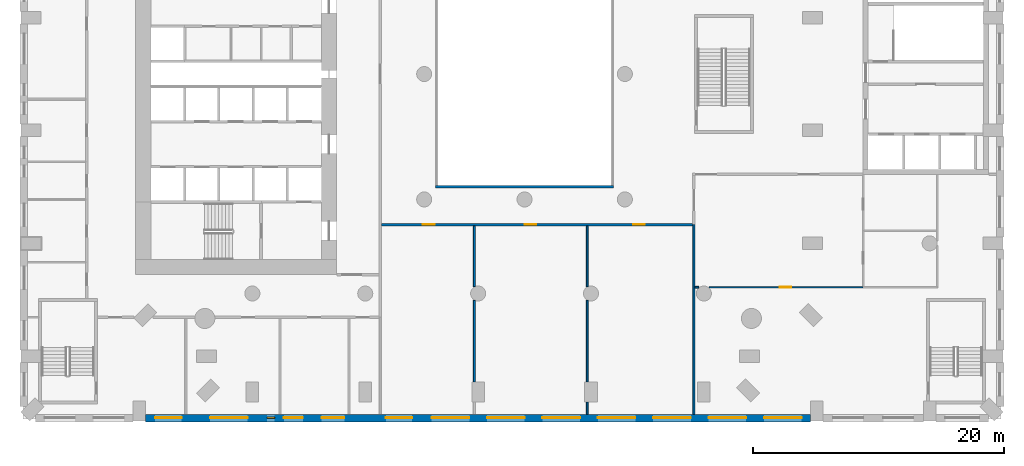
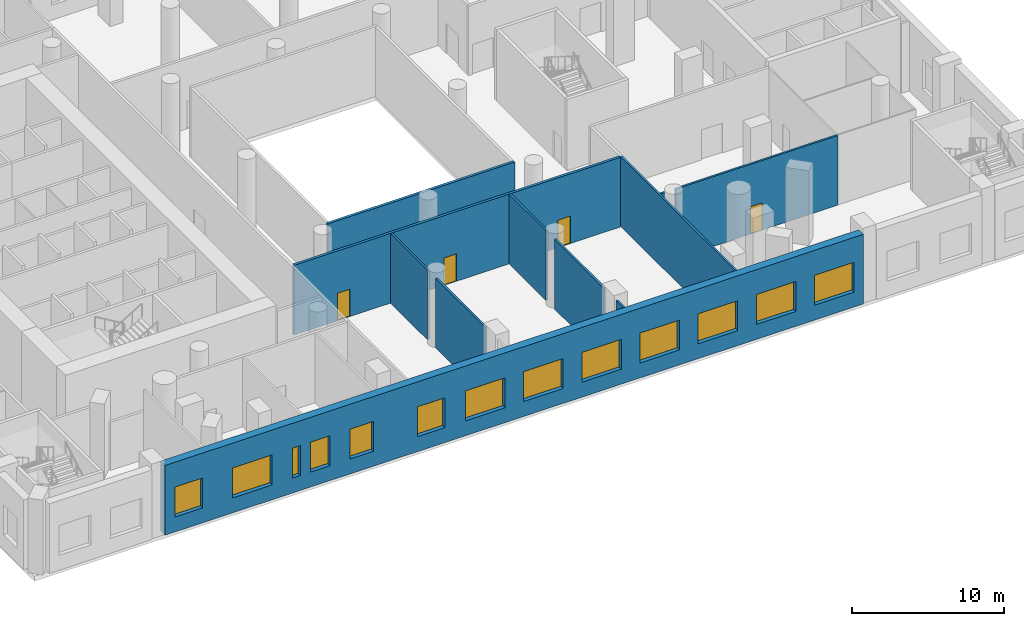
# One storey, part 5 of 19: 13 windows, 11 walls, 4 doors, 17 openings.
"""IFC4 building model written with IfcOpenShell, lengths in metres."""

from ifc_helpers import new_model, si_unit, direction, frame, frame_2d, origin, place, context, subcontext, project, spatial, rectangle, extrude, material, layer, layer_set, type_object, element, fill, save


model = new_model("IFC4")

# Units and contexts
model_context = context("Model", 3, precision=1e-05, world=origin(), true_north=direction((0.0, 1.0)))
body_context = subcontext(model_context, "Body", "Model", "MODEL_VIEW")
ifc_project = project(units=[si_unit("LENGTHUNIT", "METRE"), si_unit("AREAUNIT", "SQUARE_METRE"), si_unit("VOLUMEUNIT", "CUBIC_METRE"), si_unit("PLANEANGLEUNIT", "RADIAN"), si_unit("MASSUNIT", "GRAM", prefix="KILO")], contexts=[model_context])

# Site, building, storey
site_placement = place(None, origin())
site = spatial("IfcSite", under=ifc_project, at=site_placement, CompositionType="ELEMENT")
building_placement = place(site_placement, origin())
building = spatial("IfcBuilding", under=site, at=building_placement, Name="Cypress Arch Tower", CompositionType="ELEMENT")
storey_placement = place(building_placement, frame((0.0, 0.0, 44.0)))
storey = spatial("IfcBuildingStorey", under=building, at=storey_placement, Name="L05", CompositionType="ELEMENT", Elevation=44.0)

# Wall, openings, windows
ifc_material_1 = material(Name="Brick (red buff blend) on blockwork backing", Category="masonry")
ifc_layer_1 = layer(ifc_material_1, 0.60009765625)
ifc_layer_set_1 = layer_set([ifc_layer_1], Name="Brick base wall BW600")
wall_type_1 = type_object("IfcWallType", Name="Brick base wall BW600", PredefinedType="ELEMENTEDWALL", material=ifc_layer_set_1)
wall_1_placement = place(storey_placement, frame((-29.199951171875, -27.425048828125, 0.0), z_axis=(0.0, 0.0, 1.0), x_axis=(1.0, 0.0, 0.0)))
wall_1 = element("IfcWall", 1, at=wall_1_placement, inside=storey, type_object=wall_type_1, Name="Brick wall L05 P00.1", PredefinedType="ELEMENTEDWALL", context=body_context, shape_type="SweptSolid", body=[
    extrude(rectangle(XDim=53.0, YDim=0.60009765625, at=frame_2d((26.5, 0.0))), origin(), (0.0, 0.0, 1.0), 5.595947265625),
])
opening_1_placement = place(wall_1_placement, frame((5.125, 0.0, 1.199951171875)))
opening_1 = element("IfcOpeningElement", 2, at=opening_1_placement, cuts=wall_1, Name="Opening W300P", PredefinedType="OPENING", context=body_context, shape_type="SweptSolid", body=[
    extrude(rectangle(XDim=3.0, YDim=2.39990234375, at=frame_2d((1.5, 1.199951171875))), frame((0.0, 0.31005859375, 0.0), z_axis=(0.0, -1.0, 0.0), x_axis=(1.0, 0.0, 0.0)), (0.0, 0.0, 1.0), 0.6201171875),
])
opening_2_placement = place(wall_1_placement, frame((22.791748046875, 0.0, 1.199951171875)))
opening_2 = element("IfcOpeningElement", 3, at=opening_2_placement, cuts=wall_1, Name="Opening W300P", PredefinedType="OPENING", context=body_context, shape_type="SweptSolid", body=[
    extrude(rectangle(XDim=3.0, YDim=2.39990234375, at=frame_2d((1.5, 1.199951171875))), frame((0.0, 0.31005859375, 0.0), z_axis=(0.0, -1.0, 0.0), x_axis=(1.0, 0.0, 0.0)), (0.0, 0.0, 1.0), 0.6201171875),
])
opening_3_placement = place(wall_1_placement, frame((27.208251953125, 0.0, 1.199951171875)))
opening_3 = element("IfcOpeningElement", 4, at=opening_3_placement, cuts=wall_1, Name="Opening W300P", PredefinedType="OPENING", context=body_context, shape_type="SweptSolid", body=[
    extrude(rectangle(XDim=3.0, YDim=2.39990234375, at=frame_2d((1.5, 1.199951171875))), frame((0.0, 0.31005859375, 0.0), z_axis=(0.0, -1.0, 0.0), x_axis=(1.0, 0.0, 0.0)), (0.0, 0.0, 1.0), 0.6201171875),
])
opening_4_placement = place(wall_1_placement, frame((31.625, 0.0, 1.199951171875)))
opening_4 = element("IfcOpeningElement", 5, at=opening_4_placement, cuts=wall_1, Name="Opening W300P", PredefinedType="OPENING", context=body_context, shape_type="SweptSolid", body=[
    extrude(rectangle(XDim=3.0, YDim=2.39990234375, at=frame_2d((1.5, 1.199951171875))), frame((0.0, 0.31005859375, 0.0), z_axis=(0.0, -1.0, 0.0), x_axis=(1.0, 0.0, 0.0)), (0.0, 0.0, 1.0), 0.6201171875),
])
opening_5_placement = place(wall_1_placement, frame((36.041748046875, 0.0, 1.199951171875)))
opening_5 = element("IfcOpeningElement", 6, at=opening_5_placement, cuts=wall_1, Name="Opening W300P", PredefinedType="OPENING", context=body_context, shape_type="SweptSolid", body=[
    extrude(rectangle(XDim=3.0, YDim=2.39990234375, at=frame_2d((1.5, 1.199951171875))), frame((0.0, 0.31005859375, 0.0), z_axis=(0.0, -1.0, 0.0), x_axis=(1.0, 0.0, 0.0)), (0.0, 0.0, 1.0), 0.6201171875),
])
opening_6_placement = place(wall_1_placement, frame((40.458251953125, 0.0, 1.199951171875)))
opening_6 = element("IfcOpeningElement", 7, at=opening_6_placement, cuts=wall_1, Name="Opening W300P", PredefinedType="OPENING", context=body_context, shape_type="SweptSolid", body=[
    extrude(rectangle(XDim=3.0, YDim=2.39990234375, at=frame_2d((1.5, 1.199951171875))), frame((0.0, 0.31005859375, 0.0), z_axis=(0.0, -1.0, 0.0), x_axis=(1.0, 0.0, 0.0)), (0.0, 0.0, 1.0), 0.6201171875),
])
opening_7_placement = place(wall_1_placement, frame((44.875, 0.0, 1.199951171875)))
opening_7 = element("IfcOpeningElement", 8, at=opening_7_placement, cuts=wall_1, Name="Opening W300P", PredefinedType="OPENING", context=body_context, shape_type="SweptSolid", body=[
    extrude(rectangle(XDim=3.0, YDim=2.39990234375, at=frame_2d((1.5, 1.199951171875))), frame((0.0, 0.31005859375, 0.0), z_axis=(0.0, -1.0, 0.0), x_axis=(1.0, 0.0, 0.0)), (0.0, 0.0, 1.0), 0.6201171875),
])
opening_8_placement = place(wall_1_placement, frame((49.291748046875, 0.0, 1.199951171875)))
opening_8 = element("IfcOpeningElement", 9, at=opening_8_placement, cuts=wall_1, Name="Opening W300P", PredefinedType="OPENING", context=body_context, shape_type="SweptSolid", body=[
    extrude(rectangle(XDim=3.0, YDim=2.39990234375, at=frame_2d((1.5, 1.199951171875))), frame((0.0, 0.31005859375, 0.0), z_axis=(0.0, -1.0, 0.0), x_axis=(1.0, 0.0, 0.0)), (0.0, 0.0, 1.0), 0.6201171875),
])
opening_9_placement = place(wall_1_placement, frame((0.754150390625, 0.0, 1.199951171875)))
opening_9 = element("IfcOpeningElement", 10, at=opening_9_placement, cuts=wall_1, Name="Opening W210P", PredefinedType="OPENING", context=body_context, shape_type="SweptSolid", body=[
    extrude(rectangle(XDim=2.10009765625, YDim=2.39990234375, at=frame_2d((1.050048828125, 1.199951171875))), frame((0.0, 0.31005859375, 0.0), z_axis=(0.0, -1.0, 0.0), x_axis=(1.0, 0.0, 0.0)), (0.0, 0.0, 1.0), 0.6201171875),
])
opening_10_placement = place(wall_1_placement, frame((9.6708984375, 0.0, 1.199951171875)))
opening_10 = element("IfcOpeningElement", 11, at=opening_10_placement, cuts=wall_1, Name="Opening W060P", PredefinedType="OPENING", context=body_context, shape_type="SweptSolid", body=[
    extrude(rectangle(XDim=0.60009765625, YDim=2.39990234375, at=frame_2d((0.300048828125, 1.199951171875))), frame((0.0, 0.31005859375, 0.0), z_axis=(0.0, -1.0, 0.0), x_axis=(1.0, 0.0, 0.0)), (0.0, 0.0, 1.0), 0.6201171875),
])
opening_11_placement = place(wall_1_placement, frame((11.020751953125, 0.0, 1.199951171875)))
opening_11 = element("IfcOpeningElement", 12, at=opening_11_placement, cuts=wall_1, Name="Opening W150P", PredefinedType="OPENING", context=body_context, shape_type="SweptSolid", body=[
    extrude(rectangle(XDim=1.5, YDim=2.39990234375, at=frame_2d((0.75, 1.199951171875))), frame((0.0, 0.31005859375, 0.0), z_axis=(0.0, -1.0, 0.0), x_axis=(1.0, 0.0, 0.0)), (0.0, 0.0, 1.0), 0.6201171875),
])
opening_12_placement = place(wall_1_placement, frame((14.029052734375, 0.0, 1.199951171875)))
opening_12 = element("IfcOpeningElement", 13, at=opening_12_placement, cuts=wall_1, Name="Opening W180P", PredefinedType="OPENING", context=body_context, shape_type="SweptSolid", body=[
    extrude(rectangle(XDim=1.800048828125, YDim=2.39990234375, at=frame_2d((0.89990234375, 1.199951171875))), frame((0.0, 0.31005859375, 0.0), z_axis=(0.0, -1.0, 0.0), x_axis=(1.0, 0.0, 0.0)), (0.0, 0.0, 1.0), 0.6201171875),
])
opening_13_placement = place(wall_1_placement, frame((19.137451171875, 0.0, 1.199951171875)))
opening_13 = element("IfcOpeningElement", 14, at=opening_13_placement, cuts=wall_1, Name="Opening W210P", PredefinedType="OPENING", context=body_context, shape_type="SweptSolid", body=[
    extrude(rectangle(XDim=2.10009765625, YDim=2.39990234375, at=frame_2d((1.050048828125, 1.199951171875))), frame((0.0, 0.31005859375, 0.0), z_axis=(0.0, -1.0, 0.0), x_axis=(1.0, 0.0, 0.0)), (0.0, 0.0, 1.0), 0.6201171875),
])
ifc_material_2 = material(Name="Anodised aluminium, bronze finish, clear low-emissivity double glazing", Category="aluminium")
window_type_1 = type_object("IfcWindowType", Name="Window Podium 1500x2400", PartitioningType="SINGLE_PANEL", PredefinedType="WINDOW", material=ifc_material_2)
window_1_placement = place(opening_11_placement, origin())
window_1 = element("IfcWindow", 15, at=window_1_placement, inside=storey, type_object=window_type_1, Name="Window L05 P00.1.3b", OverallHeight=2.39990234375, OverallWidth=1.5, PartitioningType="SINGLE_PANEL", PredefinedType="WINDOW", context=body_context, shape_type="SweptSolid", body=[
    extrude(rectangle(XDim=1.5, YDim=2.39990234375, at=frame_2d((0.75, 1.199951171875))), frame((0.0, 0.06005859375, 0.0), z_axis=(0.0, -1.0, 0.0), x_axis=(1.0, 0.0, 0.0)), (0.0, 0.0, 1.0), 0.06005859375),
])
fill(opening_11, window_1)
ifc_material_3 = material(Name="Anodised aluminium, bronze finish, clear low-emissivity double glazing", Category="aluminium")
window_type_2 = type_object("IfcWindowType", Name="Window Podium 1800x2400", PartitioningType="SINGLE_PANEL", PredefinedType="WINDOW", material=ifc_material_3)
window_2_placement = place(opening_12_placement, origin())
window_2 = element("IfcWindow", 16, at=window_2_placement, inside=storey, type_object=window_type_2, Name="Window L05 P00.1.4", OverallHeight=2.39990234375, OverallWidth=1.800048828125, PartitioningType="SINGLE_PANEL", PredefinedType="WINDOW", context=body_context, shape_type="SweptSolid", body=[
    extrude(rectangle(XDim=1.800048828125, YDim=2.39990234375, at=frame_2d((0.89990234375, 1.199951171875))), frame((0.0, 0.06005859375, 0.0), z_axis=(0.0, -1.0, 0.0), x_axis=(1.0, 0.0, 0.0)), (0.0, 0.0, 1.0), 0.06005859375),
])
fill(opening_12, window_2)
ifc_material_4 = material(Name="Anodised aluminium, bronze finish, clear low-emissivity double glazing", Category="aluminium")
window_type_3 = type_object("IfcWindowType", Name="Window Podium 2100x2400", PartitioningType="SINGLE_PANEL", PredefinedType="WINDOW", material=ifc_material_4)
window_3_placement = place(opening_9_placement, origin())
window_3 = element("IfcWindow", 17, at=window_3_placement, inside=storey, type_object=window_type_3, Name="Window L05 P00.1.1", OverallHeight=2.39990234375, OverallWidth=2.10009765625, PartitioningType="SINGLE_PANEL", PredefinedType="WINDOW", context=body_context, shape_type="SweptSolid", body=[
    extrude(rectangle(XDim=2.10009765625, YDim=2.39990234375, at=frame_2d((1.050048828125, 1.199951171875))), frame((0.0, 0.06005859375, 0.0), z_axis=(0.0, -1.0, 0.0), x_axis=(1.0, 0.0, 0.0)), (0.0, 0.0, 1.0), 0.06005859375),
])
fill(opening_9, window_3)
window_4_placement = place(opening_13_placement, origin())
window_4 = element("IfcWindow", 18, at=window_4_placement, inside=storey, type_object=window_type_3, Name="Window L05 P00.1.5", OverallHeight=2.39990234375, OverallWidth=2.10009765625, PartitioningType="SINGLE_PANEL", PredefinedType="WINDOW", context=body_context, shape_type="SweptSolid", body=[
    extrude(rectangle(XDim=2.10009765625, YDim=2.39990234375, at=frame_2d((1.050048828125, 1.199951171875))), frame((0.0, 0.06005859375, 0.0), z_axis=(0.0, -1.0, 0.0), x_axis=(1.0, 0.0, 0.0)), (0.0, 0.0, 1.0), 0.06005859375),
])
fill(opening_13, window_4)
ifc_material_5 = material(Name="Anodised aluminium, bronze finish, clear low-emissivity double glazing", Category="aluminium")
window_type_4 = type_object("IfcWindowType", Name="Window Podium 3000x2400", PartitioningType="SINGLE_PANEL", PredefinedType="WINDOW", material=ifc_material_5)
window_5_placement = place(opening_1_placement, origin())
window_5 = element("IfcWindow", 19, at=window_5_placement, inside=storey, type_object=window_type_4, Name="Window L05 P00.1.2", OverallHeight=2.39990234375, OverallWidth=3.0, PartitioningType="SINGLE_PANEL", PredefinedType="WINDOW", context=body_context, shape_type="SweptSolid", body=[
    extrude(rectangle(XDim=3.0, YDim=2.39990234375, at=frame_2d((1.5, 1.199951171875))), frame((0.0, 0.06005859375, 0.0), z_axis=(0.0, -1.0, 0.0), x_axis=(1.0, 0.0, 0.0)), (0.0, 0.0, 1.0), 0.06005859375),
])
fill(opening_1, window_5)
window_6_placement = place(opening_2_placement, origin())
window_6 = element("IfcWindow", 20, at=window_6_placement, inside=storey, type_object=window_type_4, Name="Window L05 P00.1.6", OverallHeight=2.39990234375, OverallWidth=3.0, PartitioningType="SINGLE_PANEL", PredefinedType="WINDOW", context=body_context, shape_type="SweptSolid", body=[
    extrude(rectangle(XDim=3.0, YDim=2.39990234375, at=frame_2d((1.5, 1.199951171875))), frame((0.0, 0.06005859375, 0.0), z_axis=(0.0, -1.0, 0.0), x_axis=(1.0, 0.0, 0.0)), (0.0, 0.0, 1.0), 0.06005859375),
])
fill(opening_2, window_6)
window_7_placement = place(opening_3_placement, origin())
window_7 = element("IfcWindow", 21, at=window_7_placement, inside=storey, type_object=window_type_4, Name="Window L05 P00.1.7", OverallHeight=2.39990234375, OverallWidth=3.0, PartitioningType="SINGLE_PANEL", PredefinedType="WINDOW", context=body_context, shape_type="SweptSolid", body=[
    extrude(rectangle(XDim=3.0, YDim=2.39990234375, at=frame_2d((1.5, 1.199951171875))), frame((0.0, 0.06005859375, 0.0), z_axis=(0.0, -1.0, 0.0), x_axis=(1.0, 0.0, 0.0)), (0.0, 0.0, 1.0), 0.06005859375),
])
fill(opening_3, window_7)
window_8_placement = place(opening_4_placement, origin())
window_8 = element("IfcWindow", 22, at=window_8_placement, inside=storey, type_object=window_type_4, Name="Window L05 P00.1.8", OverallHeight=2.39990234375, OverallWidth=3.0, PartitioningType="SINGLE_PANEL", PredefinedType="WINDOW", context=body_context, shape_type="SweptSolid", body=[
    extrude(rectangle(XDim=3.0, YDim=2.39990234375, at=frame_2d((1.5, 1.199951171875))), frame((0.0, 0.06005859375, 0.0), z_axis=(0.0, -1.0, 0.0), x_axis=(1.0, 0.0, 0.0)), (0.0, 0.0, 1.0), 0.06005859375),
])
fill(opening_4, window_8)
window_9_placement = place(opening_5_placement, origin())
window_9 = element("IfcWindow", 23, at=window_9_placement, inside=storey, type_object=window_type_4, Name="Window L05 P00.1.9", OverallHeight=2.39990234375, OverallWidth=3.0, PartitioningType="SINGLE_PANEL", PredefinedType="WINDOW", context=body_context, shape_type="SweptSolid", body=[
    extrude(rectangle(XDim=3.0, YDim=2.39990234375, at=frame_2d((1.5, 1.199951171875))), frame((0.0, 0.06005859375, 0.0), z_axis=(0.0, -1.0, 0.0), x_axis=(1.0, 0.0, 0.0)), (0.0, 0.0, 1.0), 0.06005859375),
])
fill(opening_5, window_9)
window_10_placement = place(opening_6_placement, origin())
window_10 = element("IfcWindow", 24, at=window_10_placement, inside=storey, type_object=window_type_4, Name="Window L05 P00.1.10", OverallHeight=2.39990234375, OverallWidth=3.0, PartitioningType="SINGLE_PANEL", PredefinedType="WINDOW", context=body_context, shape_type="SweptSolid", body=[
    extrude(rectangle(XDim=3.0, YDim=2.39990234375, at=frame_2d((1.5, 1.199951171875))), frame((0.0, 0.06005859375, 0.0), z_axis=(0.0, -1.0, 0.0), x_axis=(1.0, 0.0, 0.0)), (0.0, 0.0, 1.0), 0.06005859375),
])
fill(opening_6, window_10)
window_11_placement = place(opening_7_placement, origin())
window_11 = element("IfcWindow", 25, at=window_11_placement, inside=storey, type_object=window_type_4, Name="Window L05 P00.1.11", OverallHeight=2.39990234375, OverallWidth=3.0, PartitioningType="SINGLE_PANEL", PredefinedType="WINDOW", context=body_context, shape_type="SweptSolid", body=[
    extrude(rectangle(XDim=3.0, YDim=2.39990234375, at=frame_2d((1.5, 1.199951171875))), frame((0.0, 0.06005859375, 0.0), z_axis=(0.0, -1.0, 0.0), x_axis=(1.0, 0.0, 0.0)), (0.0, 0.0, 1.0), 0.06005859375),
])
fill(opening_7, window_11)
window_12_placement = place(opening_8_placement, origin())
window_12 = element("IfcWindow", 26, at=window_12_placement, inside=storey, type_object=window_type_4, Name="Window L05 P00.1.12", OverallHeight=2.39990234375, OverallWidth=3.0, PartitioningType="SINGLE_PANEL", PredefinedType="WINDOW", context=body_context, shape_type="SweptSolid", body=[
    extrude(rectangle(XDim=3.0, YDim=2.39990234375, at=frame_2d((1.5, 1.199951171875))), frame((0.0, 0.06005859375, 0.0), z_axis=(0.0, -1.0, 0.0), x_axis=(1.0, 0.0, 0.0)), (0.0, 0.0, 1.0), 0.06005859375),
])
fill(opening_8, window_12)
ifc_material_6 = material(Name="Anodised aluminium, bronze finish, clear low-emissivity double glazing", Category="aluminium")
window_type_5 = type_object("IfcWindowType", Name="Window Podium 600x2400", PartitioningType="SINGLE_PANEL", PredefinedType="WINDOW", material=ifc_material_6)
window_13_placement = place(opening_10_placement, origin())
window_13 = element("IfcWindow", 27, at=window_13_placement, inside=storey, type_object=window_type_5, Name="Window L05 P00.1.3", OverallHeight=2.39990234375, OverallWidth=0.60009765625, PartitioningType="SINGLE_PANEL", PredefinedType="WINDOW", context=body_context, shape_type="SweptSolid", body=[
    extrude(rectangle(XDim=0.60009765625, YDim=2.39990234375, at=frame_2d((0.300048828125, 1.199951171875))), frame((0.0, 0.06005859375, 0.0), z_axis=(0.0, -1.0, 0.0), x_axis=(1.0, 0.0, 0.0)), (0.0, 0.0, 1.0), 0.06005859375),
])
fill(opening_10, window_13)

# Wall, openings, doors
ifc_material_7 = material(Name="Concrete blockwork, plastered, rated", Category="masonry")
ifc_layer_2 = layer(ifc_material_7, 0.199951171875)
ifc_layer_set_2 = layer_set([ifc_layer_2], Name="Corridor wall FW200")
wall_type_2 = type_object("IfcWallType", Name="Corridor wall FW200", PredefinedType="PARTITIONING", material=ifc_layer_set_2)
wall_2_placement = place(storey_placement, frame((-10.39990234375, -12.0, 0.0), z_axis=(0.0, 0.0, 1.0), x_axis=(1.0, 0.0, 0.0)))
wall_2 = element("IfcWall", 28, at=wall_2_placement, inside=storey, type_object=wall_type_2, Name="Corridor wall", PredefinedType="PARTITIONING", context=body_context, shape_type="SweptSolid", body=[
    extrude(rectangle(XDim=24.7998046875, YDim=0.199951171875, at=frame_2d((12.39990234375, 0.0))), origin(), (0.0, 0.0, 1.0), 5.595947265625),
])
opening_14_placement = place(wall_2_placement, frame((3.300048828125, 0.0, 0.0)))
opening_14 = element("IfcOpeningElement", 29, at=opening_14_placement, cuts=wall_2, Name="Opening D02", PredefinedType="OPENING", context=body_context, shape_type="SweptSolid", body=[
    extrude(rectangle(XDim=0.949951171875, YDim=2.199951171875, at=frame_2d((0.47509765625, 1.10009765625))), frame((0.0, 0.10986328125, 0.0), z_axis=(0.0, -1.0, 0.0), x_axis=(1.0, 0.0, 0.0)), (0.0, 0.0, 1.0), 0.219970703125),
])
opening_15_placement = place(wall_2_placement, frame((11.39990234375, 0.0, 0.0)))
opening_15 = element("IfcOpeningElement", 30, at=opening_15_placement, cuts=wall_2, Name="Opening D02", PredefinedType="OPENING", context=body_context, shape_type="SweptSolid", body=[
    extrude(rectangle(XDim=0.949951171875, YDim=2.199951171875, at=frame_2d((0.47509765625, 1.10009765625))), frame((0.0, 0.10986328125, 0.0), z_axis=(0.0, -1.0, 0.0), x_axis=(1.0, 0.0, 0.0)), (0.0, 0.0, 1.0), 0.219970703125),
])
opening_16_placement = place(wall_2_placement, frame((20.050048828125, 0.0, 0.0)))
opening_16 = element("IfcOpeningElement", 31, at=opening_16_placement, cuts=wall_2, Name="Opening D02", PredefinedType="OPENING", context=body_context, shape_type="SweptSolid", body=[
    extrude(rectangle(XDim=0.949951171875, YDim=2.199951171875, at=frame_2d((0.47509765625, 1.10009765625))), frame((0.0, 0.10986328125, 0.0), z_axis=(0.0, -1.0, 0.0), x_axis=(1.0, 0.0, 0.0)), (0.0, 0.0, 1.0), 0.219970703125),
])
ifc_material_8 = material(Name="Timber flush door, fire resisting", Category="wood")
door_type_1 = type_object("IfcDoorType", Name="Room door D02 950x2200", OperationType="SINGLE_SWING_LEFT", PredefinedType="DOOR", material=ifc_material_8)
door_1_placement = place(opening_14_placement, origin())
door_1 = element("IfcDoor", 32, at=door_1_placement, inside=storey, type_object=door_type_1, Name="Room door", OperationType="SINGLE_SWING_RIGHT", OverallHeight=2.199951171875, OverallWidth=0.949951171875, PredefinedType="DOOR", context=body_context, shape_type="SweptSolid", body=[
    extrude(rectangle(XDim=0.949951171875, YDim=2.199951171875, at=frame_2d((0.47509765625, 1.10009765625))), frame((0.0, 0.02490234375, 0.0), z_axis=(0.0, -1.0, 0.0), x_axis=(1.0, 0.0, 0.0)), (0.0, 0.0, 1.0), 0.050048828125),
])
fill(opening_14, door_1)
door_2_placement = place(opening_15_placement, origin())
door_2 = element("IfcDoor", 33, at=door_2_placement, inside=storey, type_object=door_type_1, Name="Room door", OperationType="SINGLE_SWING_RIGHT", OverallHeight=2.199951171875, OverallWidth=0.949951171875, PredefinedType="DOOR", context=body_context, shape_type="SweptSolid", body=[
    extrude(rectangle(XDim=0.949951171875, YDim=2.199951171875, at=frame_2d((0.47509765625, 1.10009765625))), frame((0.0, 0.02490234375, 0.0), z_axis=(0.0, -1.0, 0.0), x_axis=(1.0, 0.0, 0.0)), (0.0, 0.0, 1.0), 0.050048828125),
])
fill(opening_15, door_2)
door_3_placement = place(opening_16_placement, origin())
door_3 = element("IfcDoor", 34, at=door_3_placement, inside=storey, type_object=door_type_1, Name="Room door", OperationType="SINGLE_SWING_LEFT", OverallHeight=2.199951171875, OverallWidth=0.949951171875, PredefinedType="DOOR", context=body_context, shape_type="SweptSolid", body=[
    extrude(rectangle(XDim=0.949951171875, YDim=2.199951171875, at=frame_2d((0.47509765625, 1.10009765625))), frame((0.0, 0.02490234375, 0.0), z_axis=(0.0, -1.0, 0.0), x_axis=(1.0, 0.0, 0.0)), (0.0, 0.0, 1.0), 0.050048828125),
])
fill(opening_16, door_3)

# Walls
wall_3_placement = place(storey_placement, frame((-6.10009765625, -9.0, 0.0), z_axis=(0.0, 0.0, 1.0), x_axis=(1.0, 0.0, 0.0)))
element("IfcWall", 35, at=wall_3_placement, inside=storey, type_object=wall_type_2, Name="Corridor wall", PredefinedType="PARTITIONING", context=body_context, shape_type="SweptSolid", body=[
    extrude(rectangle(XDim=14.2001953125, YDim=0.199951171875, at=frame_2d((7.10009765625, 0.0))), origin(), (0.0, 0.0, 1.0), 5.595947265625),
])
ifc_material_9 = material(Name="Blockwork, plastered both sides", Category="masonry")
ifc_layer_3 = layer(ifc_material_9, 0.14990234375)
ifc_layer_set_3 = layer_set([ifc_layer_3], Name="Partition PW150")
wall_type_3 = type_object("IfcWallType", Name="Partition PW150", PredefinedType="PARTITIONING", material=ifc_layer_set_3)
wall_4_placement = place(storey_placement, frame((-3.0, -24.550048828125, 0.0), z_axis=(0.0, 0.0, 1.0), x_axis=(0.0, 1.0, 0.0)))
element("IfcWall", 36, at=wall_4_placement, inside=storey, type_object=wall_type_3, Name="Partition", PredefinedType="PARTITIONING", context=body_context, shape_type="SweptSolid", body=[
    extrude(rectangle(XDim=6.50341796875, YDim=0.14990234375, at=frame_2d((3.251708984375, 0.0))), origin(), (0.0, 0.0, 1.0), 5.595947265625),
])
wall_5_placement = place(storey_placement, frame((-3.0, -16.953369140625, 0.0), z_axis=(0.0, 0.0, 1.0), x_axis=(0.0, 1.0, 0.0)))
element("IfcWall", 37, at=wall_5_placement, inside=storey, type_object=wall_type_3, Name="Partition", PredefinedType="PARTITIONING", context=body_context, shape_type="SweptSolid", body=[
    extrude(rectangle(XDim=4.853271484375, YDim=0.14990234375, at=frame_2d((2.4267578125, 0.0))), origin(), (0.0, 0.0, 1.0), 5.595947265625),
])
wall_6_placement = place(storey_placement, frame((6.0, -27.125, 0.0), z_axis=(0.0, 0.0, 1.0), x_axis=(0.0, 1.0, 0.0)))
element("IfcWall", 38, at=wall_6_placement, inside=storey, type_object=wall_type_3, Name="Partition", PredefinedType="PARTITIONING", context=body_context, shape_type="SweptSolid", body=[
    extrude(rectangle(XDim=0.97509765625, YDim=0.14990234375, at=frame_2d((0.487548828125, 0.0))), origin(), (0.0, 0.0, 1.0), 5.595947265625),
])
wall_7_placement = place(storey_placement, frame((6.0, -24.550048828125, 0.0), z_axis=(0.0, 0.0, 1.0), x_axis=(0.0, 1.0, 0.0)))
element("IfcWall", 39, at=wall_7_placement, inside=storey, type_object=wall_type_3, Name="Partition", PredefinedType="PARTITIONING", context=body_context, shape_type="SweptSolid", body=[
    extrude(rectangle(XDim=6.50341796875, YDim=0.14990234375, at=frame_2d((3.251708984375, 0.0))), origin(), (0.0, 0.0, 1.0), 5.595947265625),
])
wall_8_placement = place(storey_placement, frame((6.0, -16.953369140625, 0.0), z_axis=(0.0, 0.0, 1.0), x_axis=(0.0, 1.0, 0.0)))
element("IfcWall", 40, at=wall_8_placement, inside=storey, type_object=wall_type_3, Name="Partition", PredefinedType="PARTITIONING", context=body_context, shape_type="SweptSolid", body=[
    extrude(rectangle(XDim=4.853271484375, YDim=0.14990234375, at=frame_2d((2.4267578125, 0.0))), origin(), (0.0, 0.0, 1.0), 5.595947265625),
])
wall_9_placement = place(storey_placement, frame((14.5, -27.125, 0.0), z_axis=(0.0, 0.0, 1.0), x_axis=(0.0, 1.0, 0.0)))
element("IfcWall", 41, at=wall_9_placement, inside=storey, type_object=wall_type_3, Name="Partition", PredefinedType="PARTITIONING", context=body_context, shape_type="SweptSolid", body=[
    extrude(rectangle(XDim=15.125, YDim=0.14990234375, at=frame_2d((7.5625, 0.0))), origin(), (0.0, 0.0, 1.0), 5.595947265625),
])
wall_10_placement = place(storey_placement, frame((14.574951171875, -17.0, 0.0), z_axis=(0.0, 0.0, 1.0), x_axis=(1.0, 0.0, 0.0)))
element("IfcWall", 42, at=wall_10_placement, inside=storey, type_object=wall_type_3, Name="Partition", PredefinedType="PARTITIONING", context=body_context, shape_type="SweptSolid", body=[
    extrude(rectangle(XDim=0.313720703125, YDim=0.14990234375, at=frame_2d((0.15673828125, 0.0))), origin(), (0.0, 0.0, 1.0), 5.595947265625),
])

# Wall, opening, door
wall_11_placement = place(storey_placement, frame((15.711181640625, -17.0, 0.0), z_axis=(0.0, 0.0, 1.0), x_axis=(1.0, 0.0, 0.0)))
wall_11 = element("IfcWall", 43, at=wall_11_placement, inside=storey, type_object=wall_type_3, Name="Partition", PredefinedType="PARTITIONING", context=body_context, shape_type="SweptSolid", body=[
    extrude(rectangle(XDim=12.288818359375, YDim=0.14990234375, at=frame_2d((6.14453125, 0.0))), origin(), (0.0, 0.0, 1.0), 5.595947265625),
])
opening_17_placement = place(wall_11_placement, frame((5.64990234375, 0.0, 0.0)))
opening_17 = element("IfcOpeningElement", 44, at=opening_17_placement, cuts=wall_11, Name="Opening D05", PredefinedType="OPENING", context=body_context, shape_type="SweptSolid", body=[
    extrude(rectangle(XDim=0.89990234375, YDim=2.199951171875, at=frame_2d((0.449951171875, 1.10009765625))), frame((0.0, 0.0849609375, 0.0), z_axis=(0.0, -1.0, 0.0), x_axis=(1.0, 0.0, 0.0)), (0.0, 0.0, 1.0), 0.169921875),
])
ifc_material_10 = material(Name="Timber flush door", Category="wood")
door_type_2 = type_object("IfcDoorType", Name="Service door D05 900x2200", OperationType="SINGLE_SWING_LEFT", PredefinedType="DOOR", material=ifc_material_10)
door_4_placement = place(opening_17_placement, origin())
door_4 = element("IfcDoor", 45, at=door_4_placement, inside=storey, type_object=door_type_2, Name="Service door", OperationType="SINGLE_SWING_RIGHT", OverallHeight=2.199951171875, OverallWidth=0.89990234375, PredefinedType="DOOR", context=body_context, shape_type="SweptSolid", body=[
    extrude(rectangle(XDim=0.89990234375, YDim=2.199951171875, at=frame_2d((0.449951171875, 1.10009765625))), frame((0.0, 0.02490234375, 0.0), z_axis=(0.0, -1.0, 0.0), x_axis=(1.0, 0.0, 0.0)), (0.0, 0.0, 1.0), 0.050048828125),
])
fill(opening_17, door_4)

save(model, "model.ifc")
